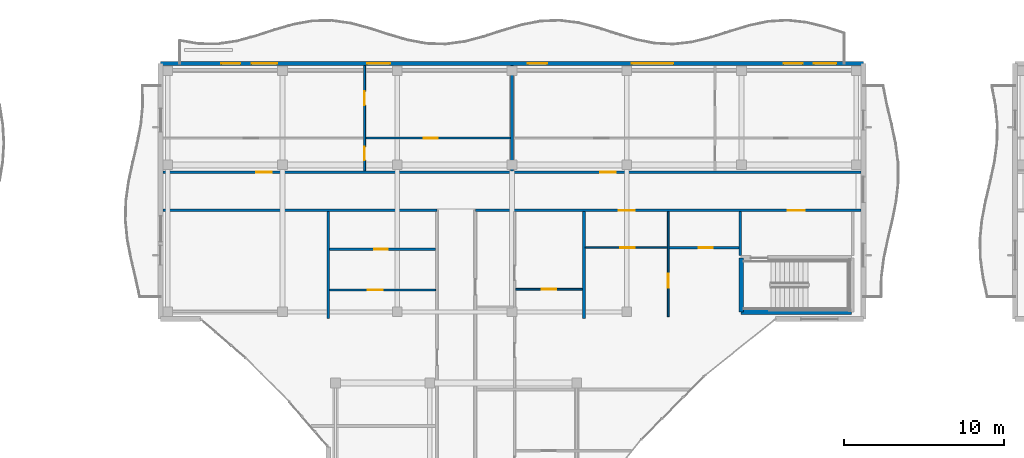
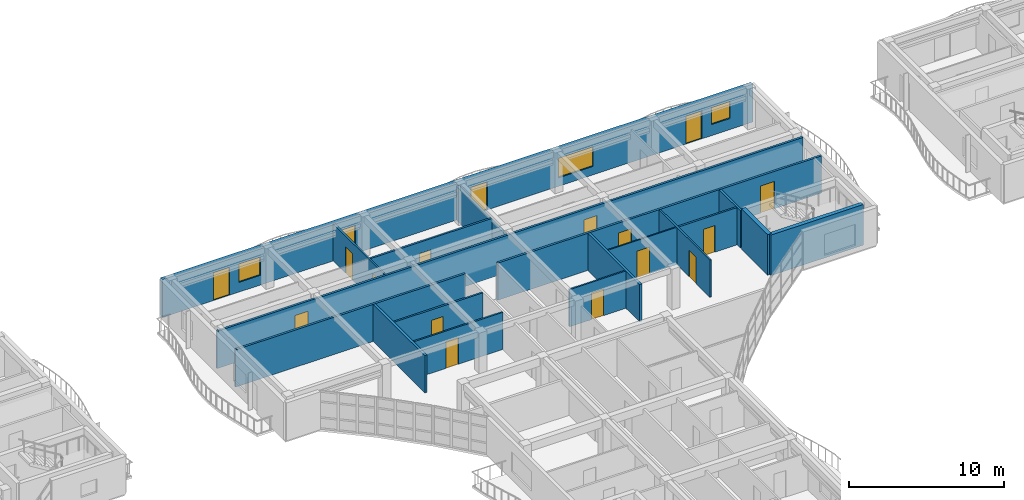
# One storey, part 41 of 76: 18 walls, 16 doors, 4 windows, 20 openings.
"""IFC4 building model written with IfcOpenShell, lengths in metres."""

from ifc_helpers import new_model, si_unit, direction, frame, frame_2d, origin, place, context, subcontext, project, spatial, rectangle, extrude, material, layer, layer_set, type_object, element, fill, save


model = new_model("IFC4")

# Units and contexts
model_context = context("Model", 3, precision=1e-05, world=origin(), true_north=direction((0.0, 1.0)))
body_context = subcontext(model_context, "Body", "Model", "MODEL_VIEW")
ifc_project = project(units=[si_unit("LENGTHUNIT", "METRE"), si_unit("AREAUNIT", "SQUARE_METRE"), si_unit("VOLUMEUNIT", "CUBIC_METRE"), si_unit("PLANEANGLEUNIT", "RADIAN"), si_unit("MASSUNIT", "GRAM", prefix="KILO")], contexts=[model_context])

# Site, building, storey
site_placement = place(None, origin())
site = spatial("IfcSite", under=ifc_project, at=site_placement, CompositionType="ELEMENT")
building_placement = place(site_placement, origin())
building = spatial("IfcBuilding", under=site, at=building_placement, Name="Keldmere Railside Commons", CompositionType="ELEMENT")
storey_placement = place(building_placement, frame((0.0, 0.0, 13.760009765625)))
storey = spatial("IfcBuildingStorey", under=building, at=storey_placement, Name="L04", CompositionType="ELEMENT", Elevation=13.760009765625)

# Walls
ifc_material_1 = material(Name="Acoustic Gypsum Board Partition", Category="gypsum")
ifc_layer_1 = layer(ifc_material_1, 0.179931640625, Name="Acoustic Demising Partition 180")
ifc_layer_set_1 = layer_set([ifc_layer_1], Name="Acoustic Gypsum Board Partition")
wall_type_1 = type_object("IfcWallType", Name="Acoustic Demising Partition 180", PredefinedType="PARTITIONING", material=ifc_layer_set_1)
for number, where, z_axis, x_axis, name in (
    (1, (120.0, 100.050048828125, 0.0), (0.0, 0.0, 1.0), (0.0, 1.0, 0.0), "IW-1 IW-L04-1059"),
    (2, (104.0, 100.050048828125, 0.0), (0.0, 0.0, 1.0), (0.0, 1.0, 0.0), "IW-1 IW-L04-1060"),
):
    element("IfcWall", number, at=place(storey_placement, frame(where, z_axis=z_axis, x_axis=x_axis)), inside=storey, type_object=wall_type_1, Name=name, PredefinedType="PARTITIONING", context=body_context, shape_type="SweptSolid", body=[
        extrude(rectangle(XDim=6.669921875, YDim=0.179931640625, at=frame_2d((3.3349609375, 0.0))), origin(), (0.0, 0.0, 1.0), 2.93505859375),
    ])
wall_1_placement = place(storey_placement, frame((115.5, 109.280029296875, 0.0), z_axis=(0.0, 0.0, 1.0), x_axis=(0.0, 1.0, 0.0)))
element("IfcWall", 3, at=wall_1_placement, inside=storey, type_object=wall_type_1, Name="IW-1 IW-L04-1077", PredefinedType="PARTITIONING", context=body_context, shape_type="SweptSolid", body=[
    extrude(rectangle(XDim=6.590087890625, YDim=0.179931640625, at=frame_2d((3.294921875, 0.0))), origin(), (0.0, 0.0, 1.0), 2.679931640625),
])

# Wall, opening, door
ifc_layer_2 = layer(ifc_material_1, 0.1201171875, Name="Apartment Interior Partition 120")
ifc_layer_set_2 = layer_set([ifc_layer_2], Name="Acoustic Gypsum Board Partition")
wall_type_2 = type_object("IfcWallType", Name="Apartment Interior Partition 120", PredefinedType="PARTITIONING", material=ifc_layer_set_2)
wall_2_placement = place(storey_placement, frame((115.719970703125, 101.8701171875, 0.0), z_axis=(0.0, 0.0, 1.0), x_axis=(1.0, 0.0, 0.0)))
wall_2 = element("IfcWall", 4, at=wall_2_placement, inside=storey, type_object=wall_type_2, Name="IW-4 IW-L04-1076", PredefinedType="PARTITIONING", context=body_context, shape_type="SweptSolid", body=[
    extrude(rectangle(XDim=4.18994140625, YDim=0.1201171875, at=frame_2d((2.094970703125, 0.0))), origin(), (0.0, 0.0, 1.0), 2.93505859375),
])
opening_1_placement = place(wall_2_placement, frame((1.64501953125, 0.0, 0.0)))
opening_1 = element("IfcOpeningElement", 5, at=opening_1_placement, cuts=wall_2, Name="Opening ID-01", PredefinedType="OPENING", context=body_context, shape_type="SweptSolid", body=[
    extrude(rectangle(XDim=0.89990234375, YDim=2.10009765625, at=frame_2d((0.449951171875, 1.050048828125))), frame((0.0, 0.070068359375, 0.0), z_axis=(0.0, -1.0, 0.0), x_axis=(1.0, 0.0, 0.0)), (0.0, 0.0, 1.0), 0.14013671875),
])
ifc_material_2 = material(Name="Engineered Oak Timber", Category="wood")
door_type_1 = type_object("IfcDoorType", Name="Primary Bedroom Door 900x2100", OperationType="NOTDEFINED", PredefinedType="DOOR", material=ifc_material_2)
door_1_placement = place(opening_1_placement, origin())
door_1 = element("IfcDoor", 6, at=door_1_placement, inside=storey, type_object=door_type_1, Name="ID-01 IDR-L04-0943", OperationType="SINGLE_SWING_LEFT", OverallHeight=2.10009765625, OverallWidth=0.89990234375, PredefinedType="DOOR", context=body_context, shape_type="SweptSolid", body=[
    extrude(rectangle(XDim=0.89990234375, YDim=2.10009765625, at=frame_2d((0.449951171875, 1.050048828125))), frame((0.0, 0.02490234375, 0.0), z_axis=(0.0, -1.0, 0.0), x_axis=(1.0, 0.0, 0.0)), (0.0, 0.0, 1.0), 0.050048828125),
])
fill(opening_1, door_1)

# Wall, openings, doors
wall_3_placement = place(storey_placement, frame((106.27001953125, 109.280029296875, 0.0), z_axis=(0.0, 0.0, 1.0), x_axis=(0.0, 1.0, 0.0)))
wall_3 = element("IfcWall", 7, at=wall_3_placement, inside=storey, type_object=wall_type_2, Name="IW-4 IW-L04-1078", PredefinedType="PARTITIONING", context=body_context, shape_type="SweptSolid", body=[
    extrude(rectangle(XDim=6.590087890625, YDim=0.1201171875, at=frame_2d((3.294921875, 0.0))), origin(), (0.0, 0.0, 1.0), 2.93505859375),
])
opening_2_placement = place(wall_3_placement, frame((0.656005859375, 0.0, 0.0)))
opening_2 = element("IfcOpeningElement", 8, at=opening_2_placement, cuts=wall_3, Name="Opening ID-04", PredefinedType="OPENING", context=body_context, shape_type="SweptSolid", body=[
    extrude(rectangle(XDim=0.860107421875, YDim=2.10009765625, at=frame_2d((0.43017578125, 1.050048828125))), frame((0.0, 0.070068359375, 0.0), z_axis=(0.0, -1.0, 0.0), x_axis=(1.0, 0.0, 0.0)), (0.0, 0.0, 1.0), 0.14013671875),
])
opening_3_placement = place(wall_3_placement, frame((4.093017578125, 0.0, 0.0)))
opening_3 = element("IfcOpeningElement", 9, at=opening_3_placement, cuts=wall_3, Name="Opening ID-01", PredefinedType="OPENING", context=body_context, shape_type="SweptSolid", body=[
    extrude(rectangle(XDim=0.89990234375, YDim=2.10009765625, at=frame_2d((0.449951171875, 1.050048828125))), frame((0.0, 0.070068359375, 0.0), z_axis=(0.0, -1.0, 0.0), x_axis=(1.0, 0.0, 0.0)), (0.0, 0.0, 1.0), 0.14013671875),
])
door_type_2 = type_object("IfcDoorType", Name="Apartment Bathroom Door 860x2100", OperationType="NOTDEFINED", PredefinedType="DOOR", material=ifc_material_2)
door_2_placement = place(opening_2_placement, origin())
door_2 = element("IfcDoor", 10, at=door_2_placement, inside=storey, type_object=door_type_2, Name="ID-04 IDR-L04-0946", OperationType="SINGLE_SWING_RIGHT", OverallHeight=2.10009765625, OverallWidth=0.860107421875, PredefinedType="DOOR", context=body_context, shape_type="SweptSolid", body=[
    extrude(rectangle(XDim=0.860107421875, YDim=2.10009765625, at=frame_2d((0.43017578125, 1.050048828125))), frame((0.0, 0.02490234375, 0.0), z_axis=(0.0, -1.0, 0.0), x_axis=(1.0, 0.0, 0.0)), (0.0, 0.0, 1.0), 0.050048828125),
])
fill(opening_2, door_2)
door_3_placement = place(opening_3_placement, origin())
door_3 = element("IfcDoor", 11, at=door_3_placement, inside=storey, type_object=door_type_1, Name="ID-01 IDR-L04-0947", OperationType="SINGLE_SWING_LEFT", OverallHeight=2.10009765625, OverallWidth=0.89990234375, PredefinedType="DOOR", context=body_context, shape_type="SweptSolid", body=[
    extrude(rectangle(XDim=0.89990234375, YDim=2.10009765625, at=frame_2d((0.449951171875, 1.050048828125))), frame((0.0, 0.02490234375, 0.0), z_axis=(0.0, -1.0, 0.0), x_axis=(1.0, 0.0, 0.0)), (0.0, 0.0, 1.0), 0.050048828125),
])
fill(opening_3, door_3)

# Wall, opening, door
wall_4_placement = place(storey_placement, frame((125.280029296875, 100.159912109375, 0.0), z_axis=(0.0, 0.0, 1.0), x_axis=(0.0, 1.0, 0.0)))
wall_4 = element("IfcWall", 12, at=wall_4_placement, inside=storey, type_object=wall_type_2, Name="IW-4 IW-L04-1084", PredefinedType="PARTITIONING", context=body_context, shape_type="SweptSolid", body=[
    extrude(rectangle(XDim=6.56005859375, YDim=0.1201171875, at=frame_2d((3.280029296875, 0.0))), origin(), (0.0, 0.0, 1.0), 2.93505859375),
])
opening_4_placement = place(wall_4_placement, frame((1.810302734375, 0.0, 0.0)))
opening_4 = element("IfcOpeningElement", 13, at=opening_4_placement, cuts=wall_4, Name="Opening ID-02", PredefinedType="OPENING", context=body_context, shape_type="SweptSolid", body=[
    extrude(rectangle(XDim=0.8798828125, YDim=2.10009765625, at=frame_2d((0.43994140625, 1.050048828125))), frame((0.0, 0.070068359375, 0.0), z_axis=(0.0, -1.0, 0.0), x_axis=(1.0, 0.0, 0.0)), (0.0, 0.0, 1.0), 0.14013671875),
])
door_type_3 = type_object("IfcDoorType", Name="Secondary Bedroom Door 880x2100", OperationType="NOTDEFINED", PredefinedType="DOOR", material=ifc_material_2)
door_4_placement = place(opening_4_placement, origin())
door_4 = element("IfcDoor", 14, at=door_4_placement, inside=storey, type_object=door_type_3, Name="ID-02 IDR-L04-0956", OperationType="SINGLE_SWING_RIGHT", OverallHeight=2.10009765625, OverallWidth=0.8798828125, PredefinedType="DOOR", context=body_context, shape_type="SweptSolid", body=[
    extrude(rectangle(XDim=0.8798828125, YDim=2.10009765625, at=frame_2d((0.43994140625, 1.050048828125))), frame((0.0, 0.02490234375, 0.0), z_axis=(0.0, -1.0, 0.0), x_axis=(1.0, 0.0, 0.0)), (0.0, 0.0, 1.0), 0.050048828125),
])
fill(opening_4, door_4)

wall_5_placement = place(storey_placement, frame((104.090087890625, 101.820068359375, 0.0), z_axis=(0.0, 0.0, 1.0), x_axis=(1.0, 0.0, 0.0)))
wall_5 = element("IfcWall", 15, at=wall_5_placement, inside=storey, type_object=wall_type_2, Name="IW-4 IW-L04-1090", PredefinedType="PARTITIONING", context=body_context, shape_type="SweptSolid", body=[
    extrude(rectangle(XDim=6.6298828125, YDim=0.1201171875, at=frame_2d((3.31494140625, 0.0))), origin(), (0.0, 0.0, 1.0), 2.93505859375),
])
opening_5_placement = place(wall_5_placement, frame((2.384521484375, 0.0, 0.0)))
opening_5 = element("IfcOpeningElement", 16, at=opening_5_placement, cuts=wall_5, Name="Opening ID-03", PredefinedType="OPENING", context=body_context, shape_type="SweptSolid", body=[
    extrude(rectangle(XDim=0.919921875, YDim=2.10009765625, at=frame_2d((0.4599609375, 1.050048828125))), frame((0.0, 0.070068359375, 0.0), z_axis=(0.0, -1.0, 0.0), x_axis=(1.0, 0.0, 0.0)), (0.0, 0.0, 1.0), 0.14013671875),
])
door_type_4 = type_object("IfcDoorType", Name="Kitchen Pocket-Frame Swing Door 920x2100", OperationType="NOTDEFINED", PredefinedType="DOOR", material=ifc_material_2)
door_5_placement = place(opening_5_placement, origin())
door_5 = element("IfcDoor", 17, at=door_5_placement, inside=storey, type_object=door_type_4, Name="ID-03 IDR-L04-0963", OperationType="SINGLE_SWING_LEFT", OverallHeight=2.10009765625, OverallWidth=0.919921875, PredefinedType="DOOR", context=body_context, shape_type="SweptSolid", body=[
    extrude(rectangle(XDim=0.919921875, YDim=2.10009765625, at=frame_2d((0.4599609375, 1.050048828125))), frame((0.0, 0.02490234375, 0.0), z_axis=(0.0, -1.0, 0.0), x_axis=(1.0, 0.0, 0.0)), (0.0, 0.0, 1.0), 0.050048828125),
])
fill(opening_5, door_5)

ifc_layer_3 = layer(ifc_material_1, 0.10009765625, Name="Closet Light Partition 100")
ifc_layer_set_3 = layer_set([ifc_layer_3], Name="Acoustic Gypsum Board Partition")
wall_type_3 = type_object("IfcWallType", Name="Closet Light Partition 100", PredefinedType="PARTITIONING", material=ifc_layer_set_3)
wall_6_placement = place(storey_placement, frame((120.090087890625, 104.469970703125, 0.0), z_axis=(0.0, 0.0, 1.0), x_axis=(1.0, 0.0, 0.0)))
wall_6 = element("IfcWall", 18, at=wall_6_placement, inside=storey, type_object=wall_type_3, Name="IW-6 IW-L04-1086", PredefinedType="PARTITIONING", context=body_context, shape_type="SweptSolid", body=[
    extrude(rectangle(XDim=5.1298828125, YDim=0.10009765625, at=frame_2d((2.56494140625, 0.0))), origin(), (0.0, 0.0, 1.0), 2.93505859375),
])
opening_6_placement = place(wall_6_placement, frame((2.1796875, 0.0, 0.0)))
opening_6 = element("IfcOpeningElement", 19, at=opening_6_placement, cuts=wall_6, Name="Opening ID-03", PredefinedType="OPENING", context=body_context, shape_type="SweptSolid", body=[
    extrude(rectangle(XDim=0.919921875, YDim=2.10009765625, at=frame_2d((0.4599609375, 1.050048828125))), frame((0.0, 0.06005859375, 0.0), z_axis=(0.0, -1.0, 0.0), x_axis=(1.0, 0.0, 0.0)), (0.0, 0.0, 1.0), 0.1201171875),
])
door_6_placement = place(opening_6_placement, origin())
door_6 = element("IfcDoor", 20, at=door_6_placement, inside=storey, type_object=door_type_4, Name="ID-03 IDR-L04-0955", OperationType="SINGLE_SWING_LEFT", OverallHeight=2.10009765625, OverallWidth=0.919921875, PredefinedType="DOOR", context=body_context, shape_type="SweptSolid", body=[
    extrude(rectangle(XDim=0.919921875, YDim=2.10009765625, at=frame_2d((0.4599609375, 1.050048828125))), frame((0.0, 0.02490234375, 0.0), z_axis=(0.0, -1.0, 0.0), x_axis=(1.0, 0.0, 0.0)), (0.0, 0.0, 1.0), 0.050048828125),
])
fill(opening_6, door_6)

# Wall
ifc_layer_4 = layer(ifc_material_1, 0.159912109375, Name="Corridor Fire Partition 160")
ifc_layer_set_4 = layer_set([ifc_layer_4], Name="Acoustic Gypsum Board Partition")
wall_type_4 = type_object("IfcWallType", Name="Corridor Fire Partition 160", PredefinedType="PARTITIONING", material=ifc_layer_set_4)
wall_7_placement = place(storey_placement, frame((93.659912109375, 106.800048828125, 0.0), z_axis=(0.0, 0.0, 1.0), x_axis=(1.0, 0.0, 0.0)))
element("IfcWall", 21, at=wall_7_placement, inside=storey, type_object=wall_type_4, Name="IW-2 IW-L04-1056", PredefinedType="PARTITIONING", context=body_context, shape_type="SweptSolid", body=[
    extrude(rectangle(XDim=17.14013671875, YDim=0.159912109375, at=frame_2d((8.570068359375, 0.0))), origin(), (0.0, 0.0, 1.0), 2.93505859375),
])

# Wall, openings, doors
wall_8_placement = place(storey_placement, frame((113.199951171875, 106.800048828125, 0.0), z_axis=(0.0, 0.0, 1.0), x_axis=(1.0, 0.0, 0.0)))
wall_8 = element("IfcWall", 22, at=wall_8_placement, inside=storey, type_object=wall_type_4, Name="IW-2 IW-L04-1057", PredefinedType="PARTITIONING", context=body_context, shape_type="SweptSolid", body=[
    extrude(rectangle(XDim=24.14013671875, YDim=0.159912109375, at=frame_2d((12.070068359375, 0.0))), origin(), (0.0, 0.0, 1.0), 2.93505859375),
])
opening_7_placement = place(wall_8_placement, frame((19.574951171875, 0.0, 0.0)))
opening_7 = element("IfcOpeningElement", 23, at=opening_7_placement, cuts=wall_8, Name="Opening FD-1", PredefinedType="OPENING", context=body_context, shape_type="SweptSolid", body=[
    extrude(rectangle(XDim=1.050048828125, YDim=2.14990234375, at=frame_2d((0.52490234375, 1.074951171875))), frame((0.0, 0.08984375, 0.0), z_axis=(0.0, -1.0, 0.0), x_axis=(1.0, 0.0, 0.0)), (0.0, 0.0, 1.0), 0.179931640625),
])
opening_8_placement = place(wall_8_placement, frame((8.9951171875, 0.0, 0.0)))
opening_8 = element("IfcOpeningElement", 24, at=opening_8_placement, cuts=wall_8, Name="Opening FD-7", PredefinedType="OPENING", context=body_context, shape_type="SweptSolid", body=[
    extrude(rectangle(XDim=0.97998046875, YDim=2.14990234375, at=frame_2d((0.489990234375, 1.074951171875))), frame((0.0, 0.08984375, 0.0), z_axis=(0.0, -1.0, 0.0), x_axis=(1.0, 0.0, 0.0)), (0.0, 0.0, 1.0), 0.179931640625),
])
door_type_5 = type_object("IfcDoorType", Name="Apartment Entrance Acoustic Fire Door 980x2150", OperationType="NOTDEFINED", PredefinedType="DOOR", material=ifc_material_2)
door_7_placement = place(opening_8_placement, origin())
door_7 = element("IfcDoor", 25, at=door_7_placement, inside=storey, type_object=door_type_5, Name="FD-7 IDR-L04-0954", OperationType="SINGLE_SWING_RIGHT", OverallHeight=2.14990234375, OverallWidth=0.97998046875, PredefinedType="DOOR", context=body_context, shape_type="SweptSolid", body=[
    extrude(rectangle(XDim=0.97998046875, YDim=2.14990234375, at=frame_2d((0.489990234375, 1.074951171875))), frame((0.0, 0.02490234375, 0.0), z_axis=(0.0, -1.0, 0.0), x_axis=(1.0, 0.0, 0.0)), (0.0, 0.0, 1.0), 0.050048828125),
])
fill(opening_8, door_7)
ifc_material_3 = material(Name="Steel F-24 (S235)", Category="steel")
door_type_6 = type_object("IfcDoorType", Name="Stair Core Fire Door 1050x2150", OperationType="NOTDEFINED", PredefinedType="DOOR", material=ifc_material_3)
door_8_placement = place(opening_7_placement, origin())
door_8 = element("IfcDoor", 26, at=door_8_placement, inside=storey, type_object=door_type_6, Name="FD-1 IDR-L04-0926", OperationType="SINGLE_SWING_RIGHT", OverallHeight=2.14990234375, OverallWidth=1.050048828125, PredefinedType="DOOR", context=body_context, shape_type="SweptSolid", body=[
    extrude(rectangle(XDim=1.050048828125, YDim=2.14990234375, at=frame_2d((0.52490234375, 1.074951171875))), frame((0.0, 0.02490234375, 0.0), z_axis=(0.0, -1.0, 0.0), x_axis=(1.0, 0.0, 0.0)), (0.0, 0.0, 1.0), 0.050048828125),
])
fill(opening_7, door_8)

wall_9_placement = place(storey_placement, frame((93.659912109375, 109.199951171875, 0.0), z_axis=(0.0, 0.0, 1.0), x_axis=(1.0, 0.0, 0.0)))
wall_9 = element("IfcWall", 27, at=wall_9_placement, inside=storey, type_object=wall_type_4, Name="IW-2 IW-L04-1058", PredefinedType="PARTITIONING", context=body_context, shape_type="SweptSolid", body=[
    extrude(rectangle(XDim=43.68017578125, YDim=0.159912109375, at=frame_2d((21.840087890625, 0.0))), origin(), (0.0, 0.0, 1.0), 2.93505859375),
])
opening_9_placement = place(wall_9_placement, frame((5.81494140625, 0.0, 0.0)))
opening_9 = element("IfcOpeningElement", 28, at=opening_9_placement, cuts=wall_9, Name="Opening FD-7", PredefinedType="OPENING", context=body_context, shape_type="SweptSolid", body=[
    extrude(rectangle(XDim=0.97998046875, YDim=2.14990234375, at=frame_2d((0.489990234375, 1.074951171875))), frame((0.0, 0.08984375, 0.0), z_axis=(0.0, -1.0, 0.0), x_axis=(1.0, 0.0, 0.0)), (0.0, 0.0, 1.0), 0.179931640625),
])
opening_10_placement = place(wall_9_placement, frame((27.35009765625, 0.0, 0.0)))
opening_10 = element("IfcOpeningElement", 29, at=opening_10_placement, cuts=wall_9, Name="Opening FD-7", PredefinedType="OPENING", context=body_context, shape_type="SweptSolid", body=[
    extrude(rectangle(XDim=0.97998046875, YDim=2.14990234375, at=frame_2d((0.489990234375, 1.074951171875))), frame((0.0, 0.08984375, 0.0), z_axis=(0.0, -1.0, 0.0), x_axis=(1.0, 0.0, 0.0)), (0.0, 0.0, 1.0), 0.179931640625),
])
door_9_placement = place(opening_9_placement, origin())
door_9 = element("IfcDoor", 30, at=door_9_placement, inside=storey, type_object=door_type_5, Name="FD-7 IDR-L04-0944", OperationType="SINGLE_SWING_RIGHT", OverallHeight=2.14990234375, OverallWidth=0.97998046875, PredefinedType="DOOR", context=body_context, shape_type="SweptSolid", body=[
    extrude(rectangle(XDim=0.97998046875, YDim=2.14990234375, at=frame_2d((0.489990234375, 1.074951171875))), frame((0.0, 0.02490234375, 0.0), z_axis=(0.0, -1.0, 0.0), x_axis=(1.0, 0.0, 0.0)), (0.0, 0.0, 1.0), 0.050048828125),
])
fill(opening_9, door_9)
door_10_placement = place(opening_10_placement, origin())
door_10 = element("IfcDoor", 31, at=door_10_placement, inside=storey, type_object=door_type_5, Name="FD-7 IDR-L04-0949", OperationType="SINGLE_SWING_LEFT", OverallHeight=2.14990234375, OverallWidth=0.97998046875, PredefinedType="DOOR", context=body_context, shape_type="SweptSolid", body=[
    extrude(rectangle(XDim=0.97998046875, YDim=2.14990234375, at=frame_2d((0.489990234375, 1.074951171875))), frame((0.0, 0.02490234375, 0.0), z_axis=(0.0, -1.0, 0.0), x_axis=(1.0, 0.0, 0.0)), (0.0, 0.0, 1.0), 0.050048828125),
])
fill(opening_10, door_10)

# Walls
ifc_material_4 = material(Name="Concrete H-35 (C35/45)", Category="concrete")
ifc_layer_5 = layer(ifc_material_4, 0.300048828125, Name="Interior Shear Wall 300")
ifc_layer_set_5 = layer_set([ifc_layer_5], Name="Concrete H-35 (C35/45)")
wall_type_5 = type_object("IfcWallType", Name="Interior Shear Wall 300", PredefinedType="SHEAR", material=ifc_layer_set_5)
wall_10_placement = place(storey_placement, frame((129.85009765625, 100.449951171875, 0.0), z_axis=(0.0, 0.0, 1.0), x_axis=(1.0, 0.0, 0.0)))
element("IfcWall", 32, at=wall_10_placement, inside=storey, type_object=wall_type_5, Name="ISW-2 COREB2S-L04-0488", PredefinedType="SHEAR", context=body_context, shape_type="SweptSolid", body=[
    extrude(rectangle(XDim=6.89990234375, YDim=0.300048828125, at=frame_2d((3.449951171875, 0.0))), origin(), (0.0, 0.0, 1.0), 3.199951171875),
])
wall_11_placement = place(storey_placement, frame((129.85009765625, 103.820068359375, 0.0), z_axis=(0.0, 0.0, 1.0), x_axis=(0.0, -1.0, 0.0)))
element("IfcWall", 33, at=wall_11_placement, inside=storey, type_object=wall_type_5, Name="ISW-2 COREB2W-L04-0490", PredefinedType="SHEAR", context=body_context, shape_type="SweptSolid", body=[
    extrude(rectangle(XDim=3.3701171875, YDim=0.300048828125, at=frame_2d((1.68505859375, 0.0))), origin(), (0.0, 0.0, 1.0), 3.199951171875),
])
ifc_layer_6 = layer(ifc_material_1, 0.14990234375, Name="Lobby Rated Partition 150")
ifc_layer_set_6 = layer_set([ifc_layer_6], Name="Acoustic Gypsum Board Partition")
wall_type_6 = type_object("IfcWallType", Name="Lobby Rated Partition 150", PredefinedType="PARTITIONING", material=ifc_layer_set_6)
wall_12_placement = place(storey_placement, frame((129.780029296875, 103.989990234375, 0.0), z_axis=(0.0, 0.0, 1.0), x_axis=(0.0, 1.0, 0.0)))
element("IfcWall", 34, at=wall_12_placement, inside=storey, type_object=wall_type_6, Name="IW-3 IW-L04-1061", PredefinedType="PARTITIONING", context=body_context, shape_type="SweptSolid", body=[
    extrude(rectangle(XDim=2.72998046875, YDim=0.14990234375, at=frame_2d((1.364990234375, 0.0))), origin(), (0.0, 0.0, 1.0), 2.93505859375),
])

# Wall, openings, doors, windows
ifc_material_5 = material(Name="Terracotta Brick Masonry", Category="masonry")
ifc_layer_7 = layer(ifc_material_5, 0.260009765625, Name="Terracotta Cavity Wall 260")
ifc_layer_set_7 = layer_set([ifc_layer_7], Name="Terracotta Brick Masonry")
wall_type_7 = type_object("IfcWallType", Name="Terracotta Cavity Wall 260", PredefinedType="SOLIDWALL", material=ifc_layer_set_7)
wall_13_placement = place(storey_placement, frame((93.5, 116.0, 0.0), z_axis=(0.0, 0.0, 1.0), x_axis=(1.0, 0.0, 0.0)))
wall_13 = element("IfcWall", 35, at=wall_13_placement, inside=storey, type_object=wall_type_7, Name="EW-1 EXTB-L04-0615", PredefinedType="SOLIDWALL", context=body_context, shape_type="SweptSolid", body=[
    extrude(rectangle(XDim=44.0, YDim=0.260009765625, at=frame_2d((22.0, 0.0))), origin(), (0.0, 0.0, 1.0), 2.97998046875),
])
opening_11_placement = place(wall_13_placement, frame((3.800048828125, 0.0, 0.0)))
opening_11 = element("IfcOpeningElement", 36, at=opening_11_placement, cuts=wall_13, Name="Opening BD-01", PredefinedType="OPENING", context=body_context, shape_type="SweptSolid", body=[
    extrude(rectangle(XDim=1.199951171875, YDim=2.199951171875, at=frame_2d((0.60009765625, 1.10009765625))), frame((0.0, 0.139892578125, 0.0), z_axis=(0.0, -1.0, 0.0), x_axis=(1.0, 0.0, 0.0)), (0.0, 0.0, 1.0), 0.280029296875),
])
opening_12_placement = place(wall_13_placement, frame((5.699951171875, 0.0, 0.77001953125)))
opening_12 = element("IfcOpeningElement", 37, at=opening_12_placement, cuts=wall_13, Name="Opening WN-04", PredefinedType="OPENING", context=body_context, shape_type="SweptSolid", body=[
    extrude(rectangle(XDim=1.60009765625, YDim=1.449951171875, at=frame_2d((0.800048828125, 0.72509765625))), frame((0.0, 0.139892578125, 0.0), z_axis=(0.0, -1.0, 0.0), x_axis=(1.0, 0.0, 0.0)), (0.0, 0.0, 1.0), 0.280029296875),
])
opening_13_placement = place(wall_13_placement, frame((12.925048828125, 0.0, 0.77001953125)))
opening_13 = element("IfcOpeningElement", 38, at=opening_13_placement, cuts=wall_13, Name="Opening WN-24", PredefinedType="OPENING", context=body_context, shape_type="SweptSolid", body=[
    extrude(rectangle(XDim=1.449951171875, YDim=1.449951171875, at=frame_2d((0.72509765625, 0.72509765625))), frame((0.0, 0.139892578125, 0.0), z_axis=(0.0, -1.0, 0.0), x_axis=(1.0, 0.0, 0.0)), (0.0, 0.0, 1.0), 0.280029296875),
])
opening_14_placement = place(wall_13_placement, frame((23.0, 0.0, 0.0)))
opening_14 = element("IfcOpeningElement", 39, at=opening_14_placement, cuts=wall_13, Name="Opening BD-01", PredefinedType="OPENING", context=body_context, shape_type="SweptSolid", body=[
    extrude(rectangle(XDim=1.199951171875, YDim=2.199951171875, at=frame_2d((0.60009765625, 1.10009765625))), frame((0.0, 0.139892578125, 0.0), z_axis=(0.0, -1.0, 0.0), x_axis=(1.0, 0.0, 0.0)), (0.0, 0.0, 1.0), 0.280029296875),
])
opening_15_placement = place(wall_13_placement, frame((29.5, 0.0, 0.669921875)))
opening_15 = element("IfcOpeningElement", 40, at=opening_15_placement, cuts=wall_13, Name="Opening WN-39", PredefinedType="OPENING", context=body_context, shape_type="SweptSolid", body=[
    extrude(rectangle(XDim=2.60009765625, YDim=1.550048828125, at=frame_2d((1.300048828125, 0.77490234375))), frame((0.0, 0.139892578125, 0.0), z_axis=(0.0, -1.0, 0.0), x_axis=(1.0, 0.0, 0.0)), (0.0, 0.0, 1.0), 0.280029296875),
])
opening_16_placement = place(wall_13_placement, frame((39.0, 0.0, 0.0)))
opening_16 = element("IfcOpeningElement", 41, at=opening_16_placement, cuts=wall_13, Name="Opening BD-01", PredefinedType="OPENING", context=body_context, shape_type="SweptSolid", body=[
    extrude(rectangle(XDim=1.199951171875, YDim=2.199951171875, at=frame_2d((0.60009765625, 1.10009765625))), frame((0.0, 0.139892578125, 0.0), z_axis=(0.0, -1.0, 0.0), x_axis=(1.0, 0.0, 0.0)), (0.0, 0.0, 1.0), 0.280029296875),
])
opening_17_placement = place(wall_13_placement, frame((40.89990234375, 0.0, 0.8701171875)))
opening_17 = element("IfcOpeningElement", 42, at=opening_17_placement, cuts=wall_13, Name="Opening WN-08", PredefinedType="OPENING", context=body_context, shape_type="SweptSolid", body=[
    extrude(rectangle(XDim=1.39990234375, YDim=1.35009765625, at=frame_2d((0.699951171875, 0.675048828125))), frame((0.0, 0.139892578125, 0.0), z_axis=(0.0, -1.0, 0.0), x_axis=(1.0, 0.0, 0.0)), (0.0, 0.0, 1.0), 0.280029296875),
])
ifc_material_6 = material(Name="Thermally Broken Aluminium", Category="aluminium")
door_type_7 = type_object("IfcDoorType", Name="Apartment Living Wave-Balcony Glazed Door 1200x2200", OperationType="NOTDEFINED", PredefinedType="DOOR", material=ifc_material_6)
door_11_placement = place(opening_11_placement, origin())
door_11 = element("IfcDoor", 43, at=door_11_placement, inside=storey, type_object=door_type_7, Name="BD-01 DR-L04-0155", OperationType="SINGLE_SWING_LEFT", OverallHeight=2.199951171875, OverallWidth=1.199951171875, PredefinedType="DOOR", context=body_context, shape_type="SweptSolid", body=[
    extrude(rectangle(XDim=1.199951171875, YDim=2.199951171875, at=frame_2d((0.60009765625, 1.10009765625))), frame((0.0, 0.02490234375, 0.0), z_axis=(0.0, -1.0, 0.0), x_axis=(1.0, 0.0, 0.0)), (0.0, 0.0, 1.0), 0.050048828125),
])
fill(opening_11, door_11)
door_12_placement = place(opening_14_placement, origin())
door_12 = element("IfcDoor", 44, at=door_12_placement, inside=storey, type_object=door_type_7, Name="BD-01 DR-L04-0156", OperationType="SINGLE_SWING_RIGHT", OverallHeight=2.199951171875, OverallWidth=1.199951171875, PredefinedType="DOOR", context=body_context, shape_type="SweptSolid", body=[
    extrude(rectangle(XDim=1.199951171875, YDim=2.199951171875, at=frame_2d((0.60009765625, 1.10009765625))), frame((0.0, 0.02490234375, 0.0), z_axis=(0.0, -1.0, 0.0), x_axis=(1.0, 0.0, 0.0)), (0.0, 0.0, 1.0), 0.050048828125),
])
fill(opening_14, door_12)
door_13_placement = place(opening_16_placement, origin())
door_13 = element("IfcDoor", 45, at=door_13_placement, inside=storey, type_object=door_type_7, Name="BD-01 DR-L04-0157", OperationType="SINGLE_SWING_LEFT", OverallHeight=2.199951171875, OverallWidth=1.199951171875, PredefinedType="DOOR", context=body_context, shape_type="SweptSolid", body=[
    extrude(rectangle(XDim=1.199951171875, YDim=2.199951171875, at=frame_2d((0.60009765625, 1.10009765625))), frame((0.0, 0.02490234375, 0.0), z_axis=(0.0, -1.0, 0.0), x_axis=(1.0, 0.0, 0.0)), (0.0, 0.0, 1.0), 0.050048828125),
])
fill(opening_16, door_13)
ifc_material_7 = material(Name="Low-E Insulated Double Glazing", Category="glass")
window_type_1 = type_object("IfcWindowType", Name="Living Room West Shaded Window 1600x1450", PartitioningType="SINGLE_PANEL", PredefinedType="WINDOW", material=ifc_material_7)
window_1_placement = place(opening_12_placement, origin())
window_1 = element("IfcWindow", 46, at=window_1_placement, inside=storey, type_object=window_type_1, Name="WN-04 WIN-L04-0426", OverallHeight=1.449951171875, OverallWidth=1.60009765625, PartitioningType="SINGLE_PANEL", PredefinedType="WINDOW", context=body_context, shape_type="SweptSolid", body=[
    extrude(rectangle(XDim=1.60009765625, YDim=1.449951171875, at=frame_2d((0.800048828125, 0.72509765625))), frame((0.0, 0.030029296875, 0.0), z_axis=(0.0, -1.0, 0.0), x_axis=(1.0, 0.0, 0.0)), (0.0, 0.0, 1.0), 0.06005859375),
])
fill(opening_12, window_1)
window_type_2 = type_object("IfcWindowType", Name="Primary Bedroom East/West Window 1400x1350", PartitioningType="SINGLE_PANEL", PredefinedType="WINDOW", material=ifc_material_7)
window_2_placement = place(opening_17_placement, origin())
window_2 = element("IfcWindow", 47, at=window_2_placement, inside=storey, type_object=window_type_2, Name="WN-08 WIN-L04-0429", OverallHeight=1.35009765625, OverallWidth=1.39990234375, PartitioningType="SINGLE_PANEL", PredefinedType="WINDOW", context=body_context, shape_type="SweptSolid", body=[
    extrude(rectangle(XDim=1.39990234375, YDim=1.35009765625, at=frame_2d((0.699951171875, 0.675048828125))), frame((0.0, 0.030029296875, 0.0), z_axis=(0.0, -1.0, 0.0), x_axis=(1.0, 0.0, 0.0)), (0.0, 0.0, 1.0), 0.06005859375),
])
fill(opening_17, window_2)
window_type_3 = type_object("IfcWindowType", Name="Setback Terrace Bedroom Window 1450x1450", PartitioningType="SINGLE_PANEL", PredefinedType="WINDOW", material=ifc_material_7)
window_3_placement = place(opening_13_placement, origin())
window_3 = element("IfcWindow", 48, at=window_3_placement, inside=storey, type_object=window_type_3, Name="WN-24 WIN-L04-0427", OverallHeight=1.449951171875, OverallWidth=1.449951171875, PartitioningType="SINGLE_PANEL", PredefinedType="WINDOW", context=body_context, shape_type="SweptSolid", body=[
    extrude(rectangle(XDim=1.449951171875, YDim=1.449951171875, at=frame_2d((0.72509765625, 0.72509765625))), frame((0.0, 0.030029296875, 0.0), z_axis=(0.0, -1.0, 0.0), x_axis=(1.0, 0.0, 0.0)), (0.0, 0.0, 1.0), 0.06005859375),
])
fill(opening_13, window_3)
window_type_4 = type_object("IfcWindowType", Name="Three-Bed Corner Living Window 2600x1550", PartitioningType="SINGLE_PANEL", PredefinedType="WINDOW", material=ifc_material_7)
window_4_placement = place(opening_15_placement, origin())
window_4 = element("IfcWindow", 49, at=window_4_placement, inside=storey, type_object=window_type_4, Name="WN-39 WIN-L04-0428", OverallHeight=1.550048828125, OverallWidth=2.60009765625, PartitioningType="SINGLE_PANEL", PredefinedType="WINDOW", context=body_context, shape_type="SweptSolid", body=[
    extrude(rectangle(XDim=2.60009765625, YDim=1.550048828125, at=frame_2d((1.300048828125, 0.77490234375))), frame((0.0, 0.030029296875, 0.0), z_axis=(0.0, -1.0, 0.0), x_axis=(1.0, 0.0, 0.0)), (0.0, 0.0, 1.0), 0.06005859375),
])
fill(opening_15, window_4)

# Wall, opening, door
ifc_layer_8 = layer(ifc_material_1, 0.139892578125, Name="Wet-Room Sanitary Partition 140")
ifc_layer_set_8 = layer_set([ifc_layer_8], Name="Acoustic Gypsum Board Partition")
wall_type_8 = type_object("IfcWallType", Name="Wet-Room Sanitary Partition 140", PredefinedType="PARTITIONING", material=ifc_layer_set_8)
wall_14_placement = place(storey_placement, frame((106.330078125, 111.330078125, 0.0), z_axis=(0.0, 0.0, 1.0), x_axis=(1.0, 0.0, 0.0)))
wall_14 = element("IfcWall", 50, at=wall_14_placement, inside=storey, type_object=wall_type_8, Name="IW-5 IW-L04-1079", PredefinedType="PARTITIONING", context=body_context, shape_type="SweptSolid", body=[
    extrude(rectangle(XDim=9.079833984375, YDim=0.139892578125, at=frame_2d((4.5400390625, 0.0))), origin(), (0.0, 0.0, 1.0), 2.93505859375),
])
opening_18_placement = place(wall_14_placement, frame((3.656005859375, 0.0, 0.0)))
opening_18 = element("IfcOpeningElement", 51, at=opening_18_placement, cuts=wall_14, Name="Opening ID-06", PredefinedType="OPENING", context=body_context, shape_type="SweptSolid", body=[
    extrude(rectangle(XDim=0.85009765625, YDim=2.050048828125, at=frame_2d((0.425048828125, 1.02490234375))), frame((0.0, 0.079833984375, 0.0), z_axis=(0.0, -1.0, 0.0), x_axis=(1.0, 0.0, 0.0)), (0.0, 0.0, 1.0), 0.159912109375),
])
door_type_8 = type_object("IfcDoorType", Name="Storage Closet Door 850x2050", OperationType="NOTDEFINED", PredefinedType="DOOR", material=ifc_material_2)
door_14_placement = place(opening_18_placement, origin())
door_14 = element("IfcDoor", 52, at=door_14_placement, inside=storey, type_object=door_type_8, Name="ID-06 IDR-L04-0948", OperationType="SINGLE_SWING_RIGHT", OverallHeight=2.050048828125, OverallWidth=0.85009765625, PredefinedType="DOOR", context=body_context, shape_type="SweptSolid", body=[
    extrude(rectangle(XDim=0.85009765625, YDim=2.050048828125, at=frame_2d((0.425048828125, 1.02490234375))), frame((0.0, 0.02490234375, 0.0), z_axis=(0.0, -1.0, 0.0), x_axis=(1.0, 0.0, 0.0)), (0.0, 0.0, 1.0), 0.050048828125),
])
fill(opening_18, door_14)

wall_15_placement = place(storey_placement, frame((125.340087890625, 104.469970703125, 0.0), z_axis=(0.0, 0.0, 1.0), x_axis=(1.0, 0.0, 0.0)))
wall_15 = element("IfcWall", 53, at=wall_15_placement, inside=storey, type_object=wall_type_8, Name="IW-5 IW-L04-1085", PredefinedType="PARTITIONING", context=body_context, shape_type="SweptSolid", body=[
    extrude(rectangle(XDim=4.35986328125, YDim=0.139892578125, at=frame_2d((2.179931640625, 0.0))), origin(), (0.0, 0.0, 1.0), 2.93505859375),
])
opening_19_placement = place(wall_15_placement, frame((1.8564453125, 0.0, 0.0)))
opening_19 = element("IfcOpeningElement", 54, at=opening_19_placement, cuts=wall_15, Name="Opening ID-04", PredefinedType="OPENING", context=body_context, shape_type="SweptSolid", body=[
    extrude(rectangle(XDim=0.860107421875, YDim=2.10009765625, at=frame_2d((0.43017578125, 1.050048828125))), frame((0.0, 0.079833984375, 0.0), z_axis=(0.0, -1.0, 0.0), x_axis=(1.0, 0.0, 0.0)), (0.0, 0.0, 1.0), 0.159912109375),
])
door_15_placement = place(opening_19_placement, origin())
door_15 = element("IfcDoor", 55, at=door_15_placement, inside=storey, type_object=door_type_2, Name="ID-04 IDR-L04-0957", OperationType="SINGLE_SWING_LEFT", OverallHeight=2.10009765625, OverallWidth=0.860107421875, PredefinedType="DOOR", context=body_context, shape_type="SweptSolid", body=[
    extrude(rectangle(XDim=0.860107421875, YDim=2.10009765625, at=frame_2d((0.43017578125, 1.050048828125))), frame((0.0, 0.02490234375, 0.0), z_axis=(0.0, -1.0, 0.0), x_axis=(1.0, 0.0, 0.0)), (0.0, 0.0, 1.0), 0.050048828125),
])
fill(opening_19, door_15)

wall_16_placement = place(storey_placement, frame((104.090087890625, 104.3701171875, 0.0), z_axis=(0.0, 0.0, 1.0), x_axis=(1.0, 0.0, 0.0)))
wall_16 = element("IfcWall", 56, at=wall_16_placement, inside=storey, type_object=wall_type_8, Name="IW-5 IW-L04-1091", PredefinedType="PARTITIONING", context=body_context, shape_type="SweptSolid", body=[
    extrude(rectangle(XDim=6.6298828125, YDim=0.139892578125, at=frame_2d((3.31494140625, 0.0))), origin(), (0.0, 0.0, 1.0), 2.93505859375),
])
opening_20_placement = place(wall_16_placement, frame((2.78466796875, 0.0, 0.0)))
opening_20 = element("IfcOpeningElement", 57, at=opening_20_placement, cuts=wall_16, Name="Opening ID-04", PredefinedType="OPENING", context=body_context, shape_type="SweptSolid", body=[
    extrude(rectangle(XDim=0.860107421875, YDim=2.10009765625, at=frame_2d((0.43017578125, 1.050048828125))), frame((0.0, 0.079833984375, 0.0), z_axis=(0.0, -1.0, 0.0), x_axis=(1.0, 0.0, 0.0)), (0.0, 0.0, 1.0), 0.159912109375),
])
door_16_placement = place(opening_20_placement, origin())
door_16 = element("IfcDoor", 58, at=door_16_placement, inside=storey, type_object=door_type_2, Name="ID-04 IDR-L04-0962", OperationType="SINGLE_SWING_RIGHT", OverallHeight=2.10009765625, OverallWidth=0.860107421875, PredefinedType="DOOR", context=body_context, shape_type="SweptSolid", body=[
    extrude(rectangle(XDim=0.860107421875, YDim=2.10009765625, at=frame_2d((0.43017578125, 1.050048828125))), frame((0.0, 0.02490234375, 0.0), z_axis=(0.0, -1.0, 0.0), x_axis=(1.0, 0.0, 0.0)), (0.0, 0.0, 1.0), 0.050048828125),
])
fill(opening_20, door_16)

save(model, "model.ifc")
